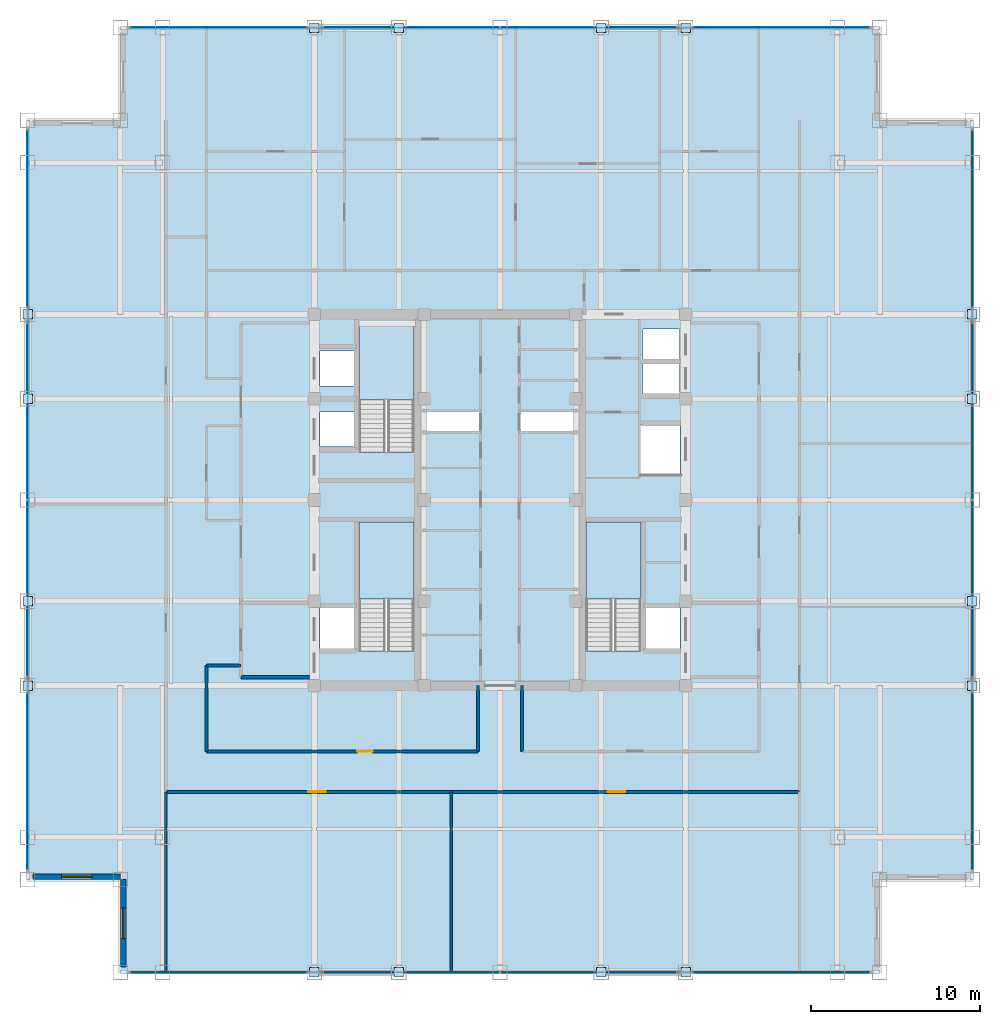
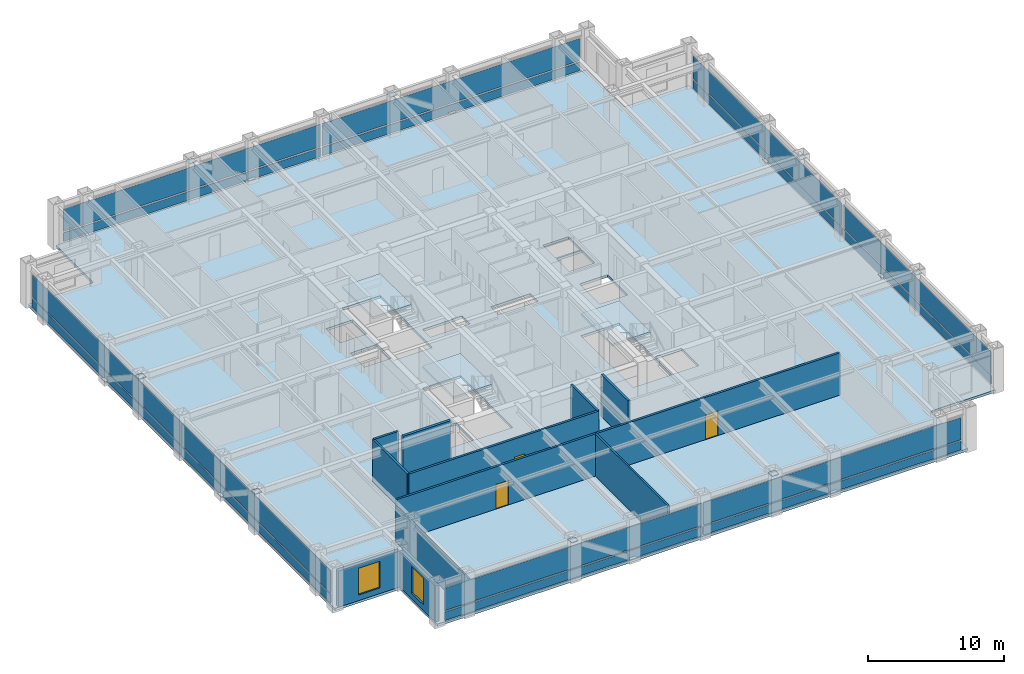
# One storey, part 17 of 22: 32 plates, 11 walls, 4 slabs, 3 doors, 2 windows, 5 openings, 7 elements without a shape of their own.
"""IFC4 building model written with IfcOpenShell, lengths in metres."""

import ifcopenshell
import ifcopenshell.guid

model = None  # the IFC model being written
_history = None  # IfcOwnerHistory: only IFC2X3 demands one
_inside = {}  # id of a spatial element -> (the spatial element, [elements in it])
_under = {}  # id of a project, library or spatial element -> (it, [spatial elements below it])
_declared = {}  # id of a project -> (the project, [libraries it declares])
_typed = {}  # id of a type object -> (the type object, [elements of that type])
_made_of = {}  # id of a material, layer set ... -> (it, [elements and type objects made of it])


def new_model(schema):
    """Start an empty IFC model of exactly this schema.

    Asked for "IFC4X3", IfcOpenShell would pick the latest addendum, in which some entities
    have other attributes; the version numbers below select the first issue.
    IFC2X3 requires an IfcOwnerHistory on every rooted entity: one is made here for all.
    """
    global model, _history
    if schema == "IFC4X3":
        model = ifcopenshell.file(schema_version=(4, 3, 0, 0))
    else:
        model = ifcopenshell.file(schema=schema)
    _inside.clear()
    _under.clear()
    _declared.clear()
    _typed.clear()
    _made_of.clear()
    _history = None
    if model.schema == "IFC2X3":
        org = make("IfcOrganization", Name="unknown")
        user = make(
            "IfcPersonAndOrganization",
            ThePerson=make("IfcPerson", FamilyName="unknown"),
            TheOrganization=org,
        )
        app = make(
            "IfcApplication",
            ApplicationDeveloper=org,
            Version="unknown",
            ApplicationFullName="unknown",
            ApplicationIdentifier="unknown",
        )
        _history = make(
            "IfcOwnerHistory",
            OwningUser=user,
            OwningApplication=app,
            ChangeAction="ADDED",
            CreationDate=0,
        )
    return model


def make(cls, **values):
    """One entity of the class cls with the attributes given. An attribute that is None is left unset."""
    return model.create_entity(
        cls, **{name: value for name, value in values.items() if value is not None}
    )


def rooted(cls, **values):
    """An entity with a GlobalId (a new one), such as an element, a storey or a relation."""
    return make(cls, GlobalId=ifcopenshell.guid.new(), OwnerHistory=_history, **values)


def si_unit(unit_type, name, prefix=None):
    """IfcSIUnit, for example si_unit("LENGTHUNIT", "METRE", prefix="MILLI")."""
    return make("IfcSIUnit", UnitType=unit_type, Prefix=prefix, Name=name)


def assignment(units):
    """IfcUnitAssignment: the units of a project."""
    return None if units is None else make("IfcUnitAssignment", Units=units)


def point(xyz):
    """IfcCartesianPoint."""
    return None if xyz is None else make("IfcCartesianPoint", Coordinates=xyz)


def direction(xyz):
    """IfcDirection."""
    return None if xyz is None else make("IfcDirection", DirectionRatios=xyz)


def frame(location, z_axis=None, x_axis=None):
    """IfcAxis2Placement3D, a coordinate frame: its origin and axes. An axis left out is left unset."""
    return make(
        "IfcAxis2Placement3D",
        Location=point(location),
        Axis=direction(z_axis),
        RefDirection=direction(x_axis),
    )


def frame_2d(location, x_axis=None):
    """IfcAxis2Placement2D, a coordinate frame in the plane: its origin and x axis."""
    return make(
        "IfcAxis2Placement2D", Location=point(location), RefDirection=direction(x_axis)
    )


def origin():
    """The frame at (0, 0, 0) with its axes left unset."""
    return frame((0.0, 0.0, 0.0))


def origin_2d():
    """The frame at (0, 0) in the plane with its x axis left unset."""
    return frame_2d((0.0, 0.0))


def place(relative_to, where):
    """IfcLocalPlacement: puts the frame where relative to a parent placement (None: the world)."""
    return make(
        "IfcLocalPlacement", PlacementRelTo=relative_to, RelativePlacement=where
    )


def context(
    kind, dimensions, precision=None, world=None, true_north=None, identifier=None
):
    """IfcGeometricRepresentationContext, for example the 3D "Model" context."""
    return make(
        "IfcGeometricRepresentationContext",
        ContextIdentifier=identifier,
        ContextType=kind,
        CoordinateSpaceDimension=dimensions,
        Precision=precision,
        WorldCoordinateSystem=world,
        TrueNorth=true_north,
    )


def subcontext(parent, identifier, kind, view, scale=None):
    """IfcGeometricRepresentationSubContext, for example "Body" below "Model"."""
    return make(
        "IfcGeometricRepresentationSubContext",
        ContextIdentifier=identifier,
        ContextType=kind,
        ParentContext=parent,
        TargetScale=scale,
        TargetView=view,
    )


def project(units=None, contexts=None):
    """IfcProject with its units and contexts."""
    return rooted(
        "IfcProject",
        Name="project",
        RepresentationContexts=contexts,
        UnitsInContext=assignment(units),
    )


def spatial(cls, under=None, at=None, **own):
    """A site, building, storey or space (cls), placed at a placement, below another one or the project."""
    s = rooted(cls, ObjectPlacement=at, **own)
    if under is not None:
        _under.setdefault(under.id(), (under, []))[1].append(s)
    return s


def polyline(points):
    """IfcPolyline through the points."""
    return make("IfcPolyline", Points=[point(p) for p in points])


def profile(cls, at=None, kind="AREA", **sizes):
    """A parametric profile (cls). Its sizes go by their IFC names, for example OverallWidth=200.0."""
    return make(cls, ProfileType=kind, Position=at, **sizes)


def rectangle(**sizes):
    """IfcRectangleProfileDef."""
    return profile("IfcRectangleProfileDef", **sizes)


def outline(outer, holes=None, kind="AREA"):
    """IfcArbitraryClosedProfileDef: a profile drawn as a closed curve; with holes, ...WithVoids."""
    if holes is None:
        return make("IfcArbitraryClosedProfileDef", ProfileType=kind, OuterCurve=outer)
    return make(
        "IfcArbitraryProfileDefWithVoids",
        ProfileType=kind,
        OuterCurve=outer,
        InnerCurves=holes,
    )


def extrude(swept, where, along, depth):
    """IfcExtrudedAreaSolid: the profile swept, set in the frame where, extruded along a direction by depth."""
    return make(
        "IfcExtrudedAreaSolid",
        SweptArea=swept,
        Position=where,
        ExtrudedDirection=direction(along),
        Depth=depth,
    )


def shape(context_of_items, identifier, shape_type, items):
    """IfcShapeRepresentation: the items that make up one representation, for example the "Body"."""
    return make(
        "IfcShapeRepresentation",
        ContextOfItems=context_of_items,
        RepresentationIdentifier=identifier,
        RepresentationType=shape_type,
        Items=items,
    )


def source(mapping_origin, context_of_items, identifier, shape_type, items):
    """IfcRepresentationMap: a shape defined once, which mapped items show again and again."""
    return make(
        "IfcRepresentationMap",
        MappingOrigin=mapping_origin,
        MappedRepresentation=shape(context_of_items, identifier, shape_type, items),
    )


def transform(
    local_origin,
    x_axis=None,
    y_axis=None,
    z_axis=None,
    scale=None,
    scale2=None,
    scale3=None,
    uniform=True,
):
    """IfcCartesianTransformationOperator3D, or its non-uniform kind. x_axis, y_axis, z_axis: its Axis1, 2, 3."""
    if uniform:
        return make(
            "IfcCartesianTransformationOperator3D",
            Axis1=direction(x_axis),
            Axis2=direction(y_axis),
            LocalOrigin=point(local_origin),
            Scale=scale,
            Axis3=direction(z_axis),
        )
    return make(
        "IfcCartesianTransformationOperator3DnonUniform",
        Axis1=direction(x_axis),
        Axis2=direction(y_axis),
        LocalOrigin=point(local_origin),
        Scale=scale,
        Axis3=direction(z_axis),
        Scale2=scale2,
        Scale3=scale3,
    )


def mapped(mapping_source, mapping_target):
    """IfcMappedItem: shows the shape of a source again, moved by a transform."""
    return make(
        "IfcMappedItem", MappingSource=mapping_source, MappingTarget=mapping_target
    )


def material(Name=None, Category=None):
    """IfcMaterial."""
    return make("IfcMaterial", Name=Name, Category=Category)


def layer(
    of_material, thickness, ventilated=None, Name=None, Category=None, Priority=None
):
    """IfcMaterialLayer: one layer of a wall or slab, of a material (None: an air gap)."""
    return make(
        "IfcMaterialLayer",
        Material=of_material,
        LayerThickness=thickness,
        IsVentilated=ventilated,
        Name=Name,
        Category=Category,
        Priority=Priority,
    )


def layer_set(layers, Name=None):
    """IfcMaterialLayerSet."""
    return make("IfcMaterialLayerSet", MaterialLayers=layers, LayerSetName=Name)


def made_of(thing, what):
    """Note that an element or type object is made of a material, layer set ...; save() writes the relation."""
    if what is not None:
        _made_of.setdefault(what.id(), (what, []))[1].append(thing)
    return thing


def type_object(cls, material=None, **own):
    """A type object (cls), such as IfcWallType, which elements share."""
    return made_of(rooted(cls, **own), material)


def element(
    cls,
    number,
    at=None,
    inside=None,
    cuts=None,
    type_object=None,
    material=None,
    context=None,
    identifier="Body",
    shape_type=None,
    held_by="IfcProductDefinitionShape",
    body=None,
    shapes=None,
    **own,
):
    """One element of the class cls, such as IfcWall. Its Tag is "e" and its number.

    at: its placement. inside: the storey or other place that contains it. cuts: it is an
    opening in that element (IfcRelVoidsElement). A single representation is given by context,
    identifier, shape_type and body (its items); several are given by shapes. held_by: the class
    of the entity that holds the representations. save() writes the other relations.
    """
    e = rooted(cls, Tag="e%d" % number, ObjectPlacement=at, **own)
    if body is not None:
        shapes = [shape(context, identifier, shape_type, body)]
    if shapes is not None:
        e.Representation = make(held_by, Representations=shapes)
    if inside is not None:
        _inside.setdefault(inside.id(), (inside, []))[1].append(e)
    if cuts is not None:
        rooted(
            "IfcRelVoidsElement", RelatingBuildingElement=cuts, RelatedOpeningElement=e
        )
    if type_object is not None:
        _typed.setdefault(type_object.id(), (type_object, []))[1].append(e)
    return made_of(e, material)


def fill(opening, filler):
    """IfcRelFillsElement: the door or window that sits in an opening."""
    return rooted(
        "IfcRelFillsElement",
        RelatingOpeningElement=opening,
        RelatedBuildingElement=filler,
    )


def aggregate(whole, parts):
    """IfcRelAggregates: a whole, such as a stair, and the parts it consists of."""
    return rooted("IfcRelAggregates", RelatingObject=whole, RelatedObjects=parts)


def save(model, path):
    """Write the relations noted so far, then the file.

    IfcRelAggregates (storeys below a building ...), IfcRelContainedInSpatialStructure (elements
    in a storey), IfcRelDefinesByType, IfcRelAssociatesMaterial and IfcRelDeclares: one each for
    every whole, place, type object, material and project.
    """
    for whole, parts in _under.values():
        aggregate(whole, parts)
    for where, things in _inside.values():
        rooted(
            "IfcRelContainedInSpatialStructure",
            RelatedElements=things,
            RelatingStructure=where,
        )
    for kind, things in _typed.values():
        rooted("IfcRelDefinesByType", RelatedObjects=things, RelatingType=kind)
    for what, things in _made_of.values():
        rooted("IfcRelAssociatesMaterial", RelatedObjects=things, RelatingMaterial=what)
    for by, libraries in _declared.values():
        rooted("IfcRelDeclares", RelatingContext=by, RelatedDefinitions=libraries)
    model.write(path)


model = new_model("IFC4")

# Units and contexts
model_context = context("Model", 3, precision=1e-05, world=origin(), true_north=direction((0.0, 1.0)))
body_context = subcontext(model_context, "Body", "Model", "MODEL_VIEW")
ifc_project = project(units=[si_unit("LENGTHUNIT", "METRE"), si_unit("AREAUNIT", "SQUARE_METRE"), si_unit("VOLUMEUNIT", "CUBIC_METRE"), si_unit("PLANEANGLEUNIT", "RADIAN"), si_unit("MASSUNIT", "GRAM", prefix="KILO")], contexts=[model_context])

# Site, building, storey
site_placement = place(None, origin())
site = spatial("IfcSite", under=ifc_project, at=site_placement, CompositionType="ELEMENT")
building_placement = place(site_placement, origin())
building = spatial("IfcBuilding", under=site, at=building_placement, Name="Khorayat Bourse Tower", CompositionType="ELEMENT")
storey_placement = place(building_placement, frame((0.0, 0.0, 305.5)))
storey = spatial("IfcBuildingStorey", under=building, at=storey_placement, Name="L72", CompositionType="ELEMENT", Elevation=305.5)

# Stair, slab
ifc_material_1 = material(Name="Concrete C40/50", Category="concrete")
stair_type = type_object("IfcStairType", Name="STR-CORE-1550", PredefinedType="HALF_TURN_STAIR", material=ifc_material_1)
stair_1_placement = place(storey_placement, origin())
stair_1 = element("IfcStair", 1, at=stair_1_placement, inside=storey, type_object=stair_type, Name="L72 Exit Stair ST-1", PredefinedType="HALF_TURN_STAIR")
ifc_layer_1 = layer(ifc_material_1, 0.199951171875)
ifc_layer_set_1 = layer_set([ifc_layer_1], Name="Concrete C40/50")
slab_type_1 = type_object("IfcSlabType", Name="SLB-LANDING-200", PredefinedType="LANDING", material=ifc_layer_set_1)
slab_1_placement = place(storey_placement, frame((0.0, 0.0, 1.800048828125)))
slab_1 = element("IfcSlab", 2, at=slab_1_placement, type_object=slab_type_1, Name="ST-1 landing 1", PredefinedType="LANDING", context=body_context, shape_type="SweptSolid", body=[
    extrude(outline(polyline([(-5.10009765625, -5.8701171875), (-5.10009765625, -1.300048828125), (-8.35009765625, -1.300048828125), (-8.35009765625, -5.8701171875), (-5.10009765625, -5.8701171875)])), origin(), (0.0, 0.0, 1.0), 0.199951171875),
])
aggregate(stair_1, [slab_1])

stair_2_placement = place(storey_placement, origin())
stair_2 = element("IfcStair", 3, at=stair_2_placement, inside=storey, type_object=stair_type, Name="L72 Exit Stair ST-2", PredefinedType="HALF_TURN_STAIR")
slab_2_placement = place(storey_placement, frame((0.0, 0.0, 1.800048828125)))
slab_2 = element("IfcSlab", 4, at=slab_2_placement, type_object=slab_type_1, Name="ST-2 landing 1", PredefinedType="LANDING", context=body_context, shape_type="SweptSolid", body=[
    extrude(outline(polyline([(-5.10009765625, 5.929931640625), (-5.10009765625, 10.5), (-8.35009765625, 10.5), (-8.35009765625, 5.929931640625), (-5.10009765625, 5.929931640625)])), origin(), (0.0, 0.0, 1.0), 0.199951171875),
])
aggregate(stair_2, [slab_2])

stair_3_placement = place(storey_placement, origin())
stair_3 = element("IfcStair", 5, at=stair_3_placement, inside=storey, type_object=stair_type, Name="L72 Exit Stair ST-3", PredefinedType="HALF_TURN_STAIR")
slab_3_placement = place(storey_placement, frame((0.0, 0.0, 1.800048828125)))
slab_3 = element("IfcSlab", 6, at=slab_3_placement, type_object=slab_type_1, Name="ST-3 landing 1", PredefinedType="LANDING", context=body_context, shape_type="SweptSolid", body=[
    extrude(outline(polyline([(8.35009765625, -5.8701171875), (8.35009765625, -1.300048828125), (5.10009765625, -1.300048828125), (5.10009765625, -5.8701171875), (8.35009765625, -5.8701171875)])), origin(), (0.0, 0.0, 1.0), 0.199951171875),
])
aggregate(stair_3, [slab_3])

# Slab
ifc_layer_2 = layer(ifc_material_1, 0.219970703125)
ifc_layer_set_2 = layer_set([ifc_layer_2], Name="Concrete C40/50")
slab_type_2 = type_object("IfcSlabType", Name="SLB-OFFICE-220", PredefinedType="FLOOR", material=ifc_layer_set_2)
slab_4_placement = place(storey_placement, frame((0.0, 0.0, -0.219970703125)))
element("IfcSlab", 7, at=slab_4_placement, inside=storey, type_object=slab_type_2, Name="L72 Main Floor Slab", PredefinedType="FLOOR", context=body_context, shape_type="SweptSolid", body=[
    extrude(outline(polyline([(-22.5, -28.0), (22.5, -28.0), (22.5, -22.5), (28.0, -22.5), (28.0, 22.5), (22.5, 22.5), (22.5, 28.0), (-22.5, 28.0), (-22.5, 22.5), (-28.0, 22.5), (-28.0, -22.5), (-22.5, -22.5), (-22.5, -28.0)]), holes=[polyline([(-8.35009765625, -8.945068359375), (-5.10009765625, -8.945068359375), (-5.10009765625, -1.300048828125), (-8.35009765625, -1.300048828125), (-8.35009765625, -8.945068359375)]), polyline([(-8.35009765625, 2.85498046875), (-5.10009765625, 2.85498046875), (-5.10009765625, 10.5), (-8.35009765625, 10.5), (-8.35009765625, 2.85498046875)]), polyline([(5.10009765625, -8.945068359375), (8.35009765625, -8.945068359375), (8.35009765625, -1.300048828125), (5.10009765625, -1.300048828125), (5.10009765625, -8.945068359375)]), polyline([(-10.679931640625, 3.169921875), (-8.419921875, 3.169921875), (-8.419921875, 5.22998046875), (-10.679931640625, 5.22998046875), (-10.679931640625, 3.169921875)]), polyline([(-10.679931640625, 6.77001953125), (-8.419921875, 6.77001953125), (-8.419921875, 8.830078125), (-10.679931640625, 8.830078125), (-10.679931640625, 6.77001953125)]), polyline([(8.469970703125, 6.27001953125), (10.6298828125, 6.27001953125), (10.6298828125, 8.1298828125), (8.469970703125, 8.1298828125), (8.469970703125, 6.27001953125)]), polyline([(8.469970703125, 8.27001953125), (10.6298828125, 8.27001953125), (10.6298828125, 10.1298828125), (8.469970703125, 10.1298828125), (8.469970703125, 8.27001953125)]), polyline([(-10.679931640625, -8.929931640625), (-8.419921875, -8.929931640625), (-8.419921875, -6.3701171875), (-10.679931640625, -6.3701171875), (-10.679931640625, -8.929931640625)]), polyline([(8.419921875, -8.929931640625), (10.679931640625, -8.929931640625), (10.679931640625, -6.3701171875), (8.419921875, -6.3701171875), (8.419921875, -8.929931640625)]), polyline([(8.320068359375, 1.52001953125), (10.679931640625, 1.52001953125), (10.679931640625, 4.47998046875), (8.320068359375, 4.47998046875), (8.320068359375, 1.52001953125)]), polyline([(-4.56005859375, 4.080078125), (-1.18994140625, 4.080078125), (-1.18994140625, 5.219970703125), (-4.56005859375, 5.219970703125), (-4.56005859375, 4.080078125)]), polyline([(1.18994140625, 4.080078125), (4.56005859375, 4.080078125), (4.56005859375, 5.219970703125), (1.18994140625, 5.219970703125), (1.18994140625, 4.080078125)])]), origin(), (0.0, 0.0, 1.0), 0.219970703125),
])

# Plates
ifc_material_2 = material(Name="Steel EN 10025-2 S355J2", Category="steel")
ifc_layer_3 = layer(ifc_material_2, 0.02490234375)
ifc_layer_set_3 = layer_set([ifc_layer_3], Name="Steel EN 10025-2 S355J2")
plate_type_1 = type_object("IfcPlateType", Name="PLT-ENDCAP-25", PredefinedType="SHEET", material=ifc_layer_set_3)
shared_shape_1 = source(origin(), body_context, "Body", "SweptSolid", [
    extrude(rectangle(XDim=0.56005859375, YDim=0.56005859375, at=origin_2d()), origin(), (0.0, 0.0, 1.0), 0.02490234375),
])
for number, where, z_axis, x_axis, name in (
    (8, (-11.0, -28.0, 3.517578125), (0.0, 0.0, 1.0), (1.0, 0.0, 0.0), "L72 Perimeter Brace End Plate 001"),
    (9, (-6.0, -28.0, 0.237548828125), (0.0, 0.0, 1.0), (1.0, 0.0, 0.0), "L72 Perimeter Brace End Plate 002"),
    (10, (6.0, -28.0, 3.517578125), (0.0, 0.0, 1.0), (1.0, 0.0, 0.0), "L72 Perimeter Brace End Plate 003"),
    (11, (11.0, -28.0, 0.237548828125), (0.0, 0.0, 1.0), (1.0, 0.0, 0.0), "L72 Perimeter Brace End Plate 004"),
    (12, (-11.0, 28.0, 3.517578125), (0.0, 0.0, 1.0), (1.0, 0.0, 0.0), "L72 Perimeter Brace End Plate 005"),
    (13, (-6.0, 28.0, 0.237548828125), (0.0, 0.0, 1.0), (1.0, 0.0, 0.0), "L72 Perimeter Brace End Plate 006"),
    (14, (6.0, 28.0, 3.517578125), (0.0, 0.0, 1.0), (1.0, 0.0, 0.0), "L72 Perimeter Brace End Plate 007"),
    (15, (11.0, 28.0, 0.237548828125), (0.0, 0.0, 1.0), (1.0, 0.0, 0.0), "L72 Perimeter Brace End Plate 008"),
    (16, (-28.0, -11.0, 3.517578125), (0.0, 0.0, 1.0), (1.0, 0.0, 0.0), "L72 Perimeter Brace End Plate 009"),
    (17, (-28.0, -6.0, 0.237548828125), (0.0, 0.0, 1.0), (1.0, 0.0, 0.0), "L72 Perimeter Brace End Plate 010"),
    (18, (-28.0, 6.0, 3.517578125), (0.0, 0.0, 1.0), (1.0, 0.0, 0.0), "L72 Perimeter Brace End Plate 011"),
    (19, (-28.0, 11.0, 0.237548828125), (0.0, 0.0, 1.0), (1.0, 0.0, 0.0), "L72 Perimeter Brace End Plate 012"),
    (20, (28.0, -11.0, 3.517578125), (0.0, 0.0, 1.0), (1.0, 0.0, 0.0), "L72 Perimeter Brace End Plate 013"),
    (21, (28.0, -6.0, 0.237548828125), (0.0, 0.0, 1.0), (1.0, 0.0, 0.0), "L72 Perimeter Brace End Plate 014"),
    (22, (28.0, 6.0, 3.517578125), (0.0, 0.0, 1.0), (1.0, 0.0, 0.0), "L72 Perimeter Brace End Plate 015"),
    (23, (28.0, 11.0, 0.237548828125), (0.0, 0.0, 1.0), (1.0, 0.0, 0.0), "L72 Perimeter Brace End Plate 016"),
):
    element("IfcPlate", number, at=place(storey_placement, frame(where, z_axis=z_axis, x_axis=x_axis)), inside=storey, type_object=plate_type_1, Name=name, PredefinedType="SHEET", context=body_context, shape_type="MappedRepresentation", body=[
        mapped(shared_shape_1, transform((0.0, 0.0, 0.0), scale=1.0)),
    ])

# Curtain wall, plates
ifc_material_3 = material(Name="Aluminium EN AW-6063 T6", Category="aluminium")
curtain_wall_type = type_object("IfcCurtainWallType", Name="CW-SYS-04", PredefinedType="NOTDEFINED", material=ifc_material_3)
curtain_wall_1_placement = place(storey_placement, origin())
curtain_wall_1 = element("IfcCurtainWall", 24, at=curtain_wall_1_placement, inside=storey, type_object=curtain_wall_type, Name="L72 Curtain Wall CW-L72-S1", PredefinedType="NOTDEFINED")
ifc_material_4 = material(Name="Honed desert limestone insulated spandrel", Category="masonry")
ifc_layer_4 = layer(ifc_material_4, 0.06494140625)
ifc_layer_set_4 = layer_set([ifc_layer_4], Name="Honed desert limestone insulated spandrel")
plate_type_2 = type_object("IfcPlateType", Name="CWP-SPAND-03", PredefinedType="CURTAIN_PANEL", material=ifc_layer_set_4)
shared_shape_2 = source(origin(), body_context, "Body", "SweptSolid", [
    extrude(rectangle(XDim=21.820068359375, YDim=0.06494140625, at=origin_2d()), origin(), (0.0, 0.0, 1.0), 0.77001953125),
])
plate_1_placement = place(storey_placement, frame((-10.969970703125, -28.0, 0.119873046875), z_axis=(0.0, 0.0, 1.0), x_axis=(1.0, 0.0, 0.0)))
plate_1 = element("IfcPlate", 25, at=plate_1_placement, type_object=plate_type_2, Name="CW-L72-S1 Spandrel Panel 1-1", PredefinedType="CURTAIN_PANEL", context=body_context, shape_type="MappedRepresentation", body=[
    mapped(shared_shape_2, transform((0.0, 0.0, 0.0), scale=1.0)),
])
plate_2_placement = place(storey_placement, frame((10.969970703125, -28.0, 0.119873046875), z_axis=(0.0, 0.0, 1.0), x_axis=(1.0, 0.0, 0.0)))
plate_2 = element("IfcPlate", 26, at=plate_2_placement, type_object=plate_type_2, Name="CW-L72-S1 Spandrel Panel 2-1", PredefinedType="CURTAIN_PANEL", context=body_context, shape_type="MappedRepresentation", body=[
    mapped(shared_shape_2, transform((0.0, 0.0, 0.0), scale=1.0)),
])

curtain_wall_2_placement = place(storey_placement, origin())
curtain_wall_2 = element("IfcCurtainWall", 27, at=curtain_wall_2_placement, inside=storey, type_object=curtain_wall_type, Name="L72 Curtain Wall CW-L72-N1", PredefinedType="NOTDEFINED")
plate_3_placement = place(storey_placement, frame((-10.969970703125, 28.0, 0.119873046875), z_axis=(0.0, 0.0, 1.0), x_axis=(1.0, 0.0, 0.0)))
plate_3 = element("IfcPlate", 28, at=plate_3_placement, type_object=plate_type_2, Name="CW-L72-N1 Spandrel Panel 1-1", PredefinedType="CURTAIN_PANEL", context=body_context, shape_type="MappedRepresentation", body=[
    mapped(shared_shape_2, transform((0.0, 0.0, 0.0), scale=1.0)),
])
plate_4_placement = place(storey_placement, frame((10.969970703125, 28.0, 0.119873046875), z_axis=(0.0, 0.0, 1.0), x_axis=(1.0, 0.0, 0.0)))
plate_4 = element("IfcPlate", 29, at=plate_4_placement, type_object=plate_type_2, Name="CW-L72-N1 Spandrel Panel 2-1", PredefinedType="CURTAIN_PANEL", context=body_context, shape_type="MappedRepresentation", body=[
    mapped(shared_shape_2, transform((0.0, 0.0, 0.0), scale=1.0)),
])

curtain_wall_3_placement = place(storey_placement, origin())
curtain_wall_3 = element("IfcCurtainWall", 30, at=curtain_wall_3_placement, inside=storey, type_object=curtain_wall_type, Name="L72 Curtain Wall CW-L72-W1", PredefinedType="NOTDEFINED")
plate_5_placement = place(storey_placement, frame((-28.0, -10.969970703125, 0.119873046875), z_axis=(0.0, 0.0, 1.0), x_axis=(0.0, 1.0, 0.0)))
plate_5 = element("IfcPlate", 31, at=plate_5_placement, type_object=plate_type_2, Name="CW-L72-W1 Spandrel Panel 1-1", PredefinedType="CURTAIN_PANEL", context=body_context, shape_type="MappedRepresentation", body=[
    mapped(shared_shape_2, transform((0.0, 0.0, 0.0), scale=1.0)),
])
plate_6_placement = place(storey_placement, frame((-28.0, 10.969970703125, 0.119873046875), z_axis=(0.0, 0.0, 1.0), x_axis=(0.0, 1.0, 0.0)))
plate_6 = element("IfcPlate", 32, at=plate_6_placement, type_object=plate_type_2, Name="CW-L72-W1 Spandrel Panel 2-1", PredefinedType="CURTAIN_PANEL", context=body_context, shape_type="MappedRepresentation", body=[
    mapped(shared_shape_2, transform((0.0, 0.0, 0.0), scale=1.0)),
])

curtain_wall_4_placement = place(storey_placement, origin())
curtain_wall_4 = element("IfcCurtainWall", 33, at=curtain_wall_4_placement, inside=storey, type_object=curtain_wall_type, Name="L72 Curtain Wall CW-L72-E1", PredefinedType="NOTDEFINED")
plate_7_placement = place(storey_placement, frame((28.0, -10.969970703125, 0.119873046875), z_axis=(0.0, 0.0, 1.0), x_axis=(0.0, 1.0, 0.0)))
plate_7 = element("IfcPlate", 34, at=plate_7_placement, type_object=plate_type_2, Name="CW-L72-E1 Spandrel Panel 1-1", PredefinedType="CURTAIN_PANEL", context=body_context, shape_type="MappedRepresentation", body=[
    mapped(shared_shape_2, transform((0.0, 0.0, 0.0), scale=1.0)),
])
plate_8_placement = place(storey_placement, frame((28.0, 10.969970703125, 0.119873046875), z_axis=(0.0, 0.0, 1.0), x_axis=(0.0, 1.0, 0.0)))
plate_8 = element("IfcPlate", 35, at=plate_8_placement, type_object=plate_type_2, Name="CW-L72-E1 Spandrel Panel 2-1", PredefinedType="CURTAIN_PANEL", context=body_context, shape_type="MappedRepresentation", body=[
    mapped(shared_shape_2, transform((0.0, 0.0, 0.0), scale=1.0)),
])

# Plate
ifc_material_5 = material(Name="Low-E solar-control laminated double glazing", Category="glass")
ifc_layer_5 = layer(ifc_material_5, 0.0419921875)
ifc_layer_set_5 = layer_set([ifc_layer_5], Name="Low-E solar-control laminated double glazing")
plate_type_3 = type_object("IfcPlateType", Name="CWP-FACET-02", PredefinedType="CURTAIN_PANEL", material=ifc_layer_set_5)
shared_shape_3 = source(origin(), body_context, "Body", "SweptSolid", [
    extrude(rectangle(XDim=21.820068359375, YDim=0.0419921875, at=origin_2d()), origin(), (0.0, 0.0, 1.0), 2.0),
])
plate_9_placement = place(storey_placement, frame((-10.969970703125, -28.0, 1.010009765625), z_axis=(0.0, 0.0, 1.0), x_axis=(1.0, 0.0, 0.0)))
plate_9 = element("IfcPlate", 36, at=plate_9_placement, type_object=plate_type_3, Name="CW-L72-S1 Vision Panel 1-2", PredefinedType="CURTAIN_PANEL", context=body_context, shape_type="MappedRepresentation", body=[
    mapped(shared_shape_3, transform((0.0, 0.0, 0.0), scale=1.0)),
])

plate_10_placement = place(storey_placement, frame((10.969970703125, -28.0, 1.010009765625), z_axis=(0.0, 0.0, 1.0), x_axis=(1.0, 0.0, 0.0)))
plate_10 = element("IfcPlate", 37, at=plate_10_placement, type_object=plate_type_3, Name="CW-L72-S1 Vision Panel 2-2", PredefinedType="CURTAIN_PANEL", context=body_context, shape_type="MappedRepresentation", body=[
    mapped(shared_shape_3, transform((0.0, 0.0, 0.0), scale=1.0)),
])

aggregate(curtain_wall_1, [plate_1, plate_9, plate_2, plate_10])

plate_11_placement = place(storey_placement, frame((-10.969970703125, 28.0, 1.010009765625), z_axis=(0.0, 0.0, 1.0), x_axis=(1.0, 0.0, 0.0)))
plate_11 = element("IfcPlate", 38, at=plate_11_placement, type_object=plate_type_3, Name="CW-L72-N1 Vision Panel 1-2", PredefinedType="CURTAIN_PANEL", context=body_context, shape_type="MappedRepresentation", body=[
    mapped(shared_shape_3, transform((0.0, 0.0, 0.0), scale=1.0)),
])

plate_12_placement = place(storey_placement, frame((10.969970703125, 28.0, 1.010009765625), z_axis=(0.0, 0.0, 1.0), x_axis=(1.0, 0.0, 0.0)))
plate_12 = element("IfcPlate", 39, at=plate_12_placement, type_object=plate_type_3, Name="CW-L72-N1 Vision Panel 2-2", PredefinedType="CURTAIN_PANEL", context=body_context, shape_type="MappedRepresentation", body=[
    mapped(shared_shape_3, transform((0.0, 0.0, 0.0), scale=1.0)),
])

aggregate(curtain_wall_2, [plate_3, plate_11, plate_4, plate_12])

plate_13_placement = place(storey_placement, frame((-28.0, -10.969970703125, 1.010009765625), z_axis=(0.0, 0.0, 1.0), x_axis=(0.0, 1.0, 0.0)))
plate_13 = element("IfcPlate", 40, at=plate_13_placement, type_object=plate_type_3, Name="CW-L72-W1 Vision Panel 1-2", PredefinedType="CURTAIN_PANEL", context=body_context, shape_type="MappedRepresentation", body=[
    mapped(shared_shape_3, transform((0.0, 0.0, 0.0), scale=1.0)),
])

plate_14_placement = place(storey_placement, frame((-28.0, 10.969970703125, 1.010009765625), z_axis=(0.0, 0.0, 1.0), x_axis=(0.0, 1.0, 0.0)))
plate_14 = element("IfcPlate", 41, at=plate_14_placement, type_object=plate_type_3, Name="CW-L72-W1 Vision Panel 2-2", PredefinedType="CURTAIN_PANEL", context=body_context, shape_type="MappedRepresentation", body=[
    mapped(shared_shape_3, transform((0.0, 0.0, 0.0), scale=1.0)),
])

aggregate(curtain_wall_3, [plate_5, plate_13, plate_6, plate_14])

plate_15_placement = place(storey_placement, frame((28.0, -10.969970703125, 1.010009765625), z_axis=(0.0, 0.0, 1.0), x_axis=(0.0, 1.0, 0.0)))
plate_15 = element("IfcPlate", 42, at=plate_15_placement, type_object=plate_type_3, Name="CW-L72-E1 Vision Panel 1-2", PredefinedType="CURTAIN_PANEL", context=body_context, shape_type="MappedRepresentation", body=[
    mapped(shared_shape_3, transform((0.0, 0.0, 0.0), scale=1.0)),
])

plate_16_placement = place(storey_placement, frame((28.0, 10.969970703125, 1.010009765625), z_axis=(0.0, 0.0, 1.0), x_axis=(0.0, 1.0, 0.0)))
plate_16 = element("IfcPlate", 43, at=plate_16_placement, type_object=plate_type_3, Name="CW-L72-E1 Vision Panel 2-2", PredefinedType="CURTAIN_PANEL", context=body_context, shape_type="MappedRepresentation", body=[
    mapped(shared_shape_3, transform((0.0, 0.0, 0.0), scale=1.0)),
])

aggregate(curtain_wall_4, [plate_7, plate_15, plate_8, plate_16])

# Wall, opening, window
ifc_material_6 = material(Name="Precast concrete C45/55", Category="concrete")
ifc_layer_6 = layer(ifc_material_6, 0.320068359375)
ifc_layer_set_6 = layer_set([ifc_layer_6], Name="Precast concrete C45/55")
wall_type_1 = type_object("IfcWallType", Name="WAL-EXT-STONE-320", PredefinedType="STANDARD", material=ifc_layer_set_6)
shared_shape_4 = source(origin(), body_context, "Body", "SweptSolid", [
    extrude(rectangle(XDim=5.179931640625, YDim=0.320068359375, at=frame_2d((2.58984375, 0.0))), origin(), (0.0, 0.0, 1.0), 3.23095703125),
])
wall_1_placement = place(storey_placement, frame((-22.5, -22.340087890625, 0.0), z_axis=(0.0, 0.0, 1.0), x_axis=(-1.0, 0.0, 0.0)))
wall_1 = element("IfcWall", 44, at=wall_1_placement, inside=storey, type_object=wall_type_1, Name="L72 Re-Entrant Notch Limestone Wall SW-H", PredefinedType="STANDARD", context=body_context, shape_type="MappedRepresentation", body=[
    mapped(shared_shape_4, transform((0.0, 0.0, 0.0), scale=1.0)),
])
shared_shape_5 = source(origin(), body_context, "Body", "SweptSolid", [
    extrude(rectangle(XDim=1.800048828125, YDim=2.39990234375, at=frame_2d((0.89990234375, 1.199951171875))), frame((0.0, 0.169921875, 0.0), z_axis=(0.0, -1.0, 0.0), x_axis=(1.0, 0.0, 0.0)), (0.0, 0.0, 1.0), 0.340087890625),
])
opening_1_placement = place(wall_1_placement, frame((1.68994140625, 0.0, 0.5)))
opening_1 = element("IfcOpeningElement", 45, at=opening_1_placement, cuts=wall_1, Name="Opening WN-04", PredefinedType="OPENING", context=body_context, shape_type="MappedRepresentation", body=[
    mapped(shared_shape_5, transform((0.0, 0.0, 0.0), scale=1.0)),
])
ifc_material_7 = material(Name="Low-E acoustic laminated double glazing", Category="glass")
window_type = type_object("IfcWindowType", Name="WIN-NOTCH-1800x2400", PartitioningType="SINGLE_PANEL", PredefinedType="WINDOW", material=ifc_material_7)
shared_shape_6 = source(origin(), body_context, "Body", "SweptSolid", [
    extrude(rectangle(XDim=1.800048828125, YDim=2.39990234375, at=frame_2d((0.89990234375, 1.199951171875))), frame((0.0, 0.030029296875, 0.0), z_axis=(0.0, -1.0, 0.0), x_axis=(1.0, 0.0, 0.0)), (0.0, 0.0, 1.0), 0.06005859375),
])
window_1_placement = place(opening_1_placement, origin())
window_1 = element("IfcWindow", 46, at=window_1_placement, inside=storey, type_object=window_type, Name="L72 Facade Window 1", OverallHeight=2.39990234375, OverallWidth=1.800048828125, PartitioningType="SINGLE_PANEL", PredefinedType="WINDOW", context=body_context, shape_type="MappedRepresentation", body=[
    mapped(shared_shape_6, transform((0.0, 0.0, 0.0), scale=1.0)),
])
fill(opening_1, window_1)

wall_2_placement = place(storey_placement, frame((-22.340087890625, -27.679931640625, 0.0), z_axis=(0.0, 0.0, 1.0), x_axis=(0.0, 1.0, 0.0)))
wall_2 = element("IfcWall", 47, at=wall_2_placement, inside=storey, type_object=wall_type_1, Name="L72 Re-Entrant Notch Limestone Wall SW-V", PredefinedType="STANDARD", context=body_context, shape_type="MappedRepresentation", body=[
    mapped(shared_shape_4, transform((0.0, 0.0, 0.0), scale=1.0)),
])
opening_2_placement = place(wall_2_placement, frame((1.68994140625, 0.0, 0.5)))
opening_2 = element("IfcOpeningElement", 48, at=opening_2_placement, cuts=wall_2, Name="Opening WN-04", PredefinedType="OPENING", context=body_context, shape_type="MappedRepresentation", body=[
    mapped(shared_shape_5, transform((0.0, 0.0, 0.0), scale=1.0)),
])
window_2_placement = place(opening_2_placement, origin())
window_2 = element("IfcWindow", 49, at=window_2_placement, inside=storey, type_object=window_type, Name="L72 Facade Window 1", OverallHeight=2.39990234375, OverallWidth=1.800048828125, PartitioningType="SINGLE_PANEL", PredefinedType="WINDOW", context=body_context, shape_type="MappedRepresentation", body=[
    mapped(shared_shape_6, transform((0.0, 0.0, 0.0), scale=1.0)),
])
fill(opening_2, window_2)

# Walls
ifc_material_8 = material(Name="Aerated concrete blockwork", Category="masonry")
ifc_layer_7 = layer(ifc_material_8, 0.219970703125)
ifc_layer_set_7 = layer_set([ifc_layer_7], Name="Aerated concrete blockwork")
wall_type_2 = type_object("IfcWallType", Name="WAL-PART-FF-220", PredefinedType="PARTITIONING", material=ifc_layer_set_7)
shared_shape_7 = source(origin(), body_context, "Body", "SweptSolid", [
    extrude(rectangle(XDim=4.050048828125, YDim=0.219970703125, at=frame_2d((2.02490234375, 0.0))), origin(), (0.0, 0.0, 1.0), 3.780029296875),
])
wall_3_placement = place(storey_placement, frame((-15.35009765625, -10.5, 0.0), z_axis=(0.0, 0.0, 1.0), x_axis=(1.0, 0.0, 0.0)))
element("IfcWall", 50, at=wall_3_placement, inside=storey, type_object=wall_type_2, Name="L72 Partition WAL-L72-FFLW-S", PredefinedType="PARTITIONING", context=body_context, shape_type="MappedRepresentation", body=[
    mapped(shared_shape_7, transform((0.0, 0.0, 0.0), scale=1.0)),
])
ifc_material_9 = material(Name="Gypsum plasterboard acoustic stud wall")
ifc_layer_8 = layer(ifc_material_9, 0.179931640625)
ifc_layer_set_8 = layer_set([ifc_layer_8], Name="Gypsum plasterboard acoustic stud wall")
wall_type_3 = type_object("IfcWallType", Name="WAL-PART-CORR-180", PredefinedType="PARTITIONING", material=ifc_layer_set_8)
shared_shape_8 = source(origin(), body_context, "Body", "SweptSolid", [
    extrude(rectangle(XDim=2.0498046875, YDim=0.179931640625, at=frame_2d((1.02490234375, 0.0))), origin(), (0.0, 0.0, 1.0), 3.780029296875),
])
wall_4_placement = place(storey_placement, frame((-17.39990234375, -9.800048828125, 0.0), z_axis=(0.0, 0.0, 1.0), x_axis=(1.0, 0.0, 0.0)))
element("IfcWall", 51, at=wall_4_placement, inside=storey, type_object=wall_type_3, Name="L72 Partition WAL-L72-THRW-S", PredefinedType="PARTITIONING", context=body_context, shape_type="MappedRepresentation", body=[
    mapped(shared_shape_8, transform((0.0, 0.0, 0.0), scale=1.0)),
])

# Wall, opening, door
shared_shape_9 = source(origin(), body_context, "Body", "SweptSolid", [
    extrude(rectangle(XDim=16.099853515625, YDim=0.179931640625, at=frame_2d((8.0498046875, 0.0))), origin(), (0.0, 0.0, 1.0), 3.780029296875),
])
wall_5_placement = place(storey_placement, frame((-17.39990234375, -14.89990234375, 0.0), z_axis=(0.0, 0.0, 1.0), x_axis=(1.0, 0.0, 0.0)))
wall_5 = element("IfcWall", 52, at=wall_5_placement, inside=storey, type_object=wall_type_3, Name="L72 Partition WAL-L72-PKSW-S", PredefinedType="PARTITIONING", context=body_context, shape_type="MappedRepresentation", body=[
    mapped(shared_shape_9, transform((0.0, 0.0, 0.0), scale=1.0)),
])
shared_shape_10 = source(origin(), body_context, "Body", "SweptSolid", [
    extrude(rectangle(XDim=0.89990234375, YDim=2.14990234375, at=frame_2d((0.449951171875, 1.074951171875))), frame((0.0, 0.099853515625, 0.0), z_axis=(0.0, -1.0, 0.0), x_axis=(1.0, 0.0, 0.0)), (0.0, 0.0, 1.0), 0.199951171875),
])
opening_3_placement = place(wall_5_placement, frame((8.949951171875, 0.0, 0.0)))
opening_3 = element("IfcOpeningElement", 53, at=opening_3_placement, cuts=wall_5, Name="Opening DI-06", PredefinedType="OPENING", context=body_context, shape_type="MappedRepresentation", body=[
    mapped(shared_shape_10, transform((0.0, 0.0, 0.0), scale=1.0)),
])
ifc_material_10 = material(Name="Moisture-resistant laminate washroom door")
door_type_1 = type_object("IfcDoorType", Name="DR-INT-WC-900", OperationType="NOTDEFINED", PredefinedType="DOOR", material=ifc_material_10)
shared_shape_11 = source(origin(), body_context, "Body", "SweptSolid", [
    extrude(rectangle(XDim=0.89990234375, YDim=2.14990234375, at=frame_2d((0.449951171875, 1.074951171875))), frame((0.0, 0.02490234375, 0.0), z_axis=(0.0, -1.0, 0.0), x_axis=(1.0, 0.0, 0.0)), (0.0, 0.0, 1.0), 0.050048828125),
])
door_1_placement = place(opening_3_placement, origin())
door_1 = element("IfcDoor", 54, at=door_1_placement, inside=storey, type_object=door_type_1, Name="L72 SW Inboard Pantry Door", OperationType="SINGLE_SWING_LEFT", OverallHeight=2.14990234375, OverallWidth=0.89990234375, PredefinedType="DOOR", context=body_context, shape_type="MappedRepresentation", body=[
    mapped(shared_shape_11, transform((0.0, 0.0, 0.0), scale=1.0)),
])
fill(opening_3, door_1)

# Wall, openings, doors
shared_shape_12 = source(origin(), body_context, "Body", "SweptSolid", [
    extrude(rectangle(XDim=37.550048828125, YDim=0.179931640625, at=frame_2d((18.77490234375, 0.0))), origin(), (0.0, 0.0, 1.0), 3.780029296875),
])
wall_6_placement = place(storey_placement, frame((-19.800048828125, -17.300048828125, 0.0), z_axis=(0.0, 0.0, 1.0), x_axis=(1.0, 0.0, 0.0)))
wall_6 = element("IfcWall", 55, at=wall_6_placement, inside=storey, type_object=wall_type_3, Name="L72 Partition WAL-L72-SCORR", PredefinedType="PARTITIONING", context=body_context, shape_type="MappedRepresentation", body=[
    mapped(shared_shape_12, transform((0.0, 0.0, 0.0), scale=1.0)),
])
shared_shape_13 = source(origin(), body_context, "Body", "SweptSolid", [
    extrude(rectangle(XDim=1.050048828125, YDim=2.199951171875, at=frame_2d((0.52490234375, 1.10009765625))), frame((0.0, 0.099853515625, 0.0), z_axis=(0.0, -1.0, 0.0), x_axis=(1.0, 0.0, 0.0)), (0.0, 0.0, 1.0), 0.199951171875),
])
opening_4_placement = place(wall_6_placement, frame((8.423583984375, 0.0, 0.0)))
opening_4 = element("IfcOpeningElement", 56, at=opening_4_placement, cuts=wall_6, Name="Opening DI-04", PredefinedType="OPENING", context=body_context, shape_type="MappedRepresentation", body=[
    mapped(shared_shape_13, transform((0.0, 0.0, 0.0), scale=1.0)),
])
opening_5_placement = place(wall_6_placement, frame((26.173583984375, 0.0, 0.0)))
opening_5 = element("IfcOpeningElement", 57, at=opening_5_placement, cuts=wall_6, Name="Opening DI-04", PredefinedType="OPENING", context=body_context, shape_type="MappedRepresentation", body=[
    mapped(shared_shape_13, transform((0.0, 0.0, 0.0), scale=1.0)),
])
ifc_material_11 = material(Name="Fire-rated oak veneer suite entrance door")
door_type_2 = type_object("IfcDoorType", Name="DR-INT-SUITE-1050", OperationType="NOTDEFINED", PredefinedType="DOOR", material=ifc_material_11)
shared_shape_14 = source(origin(), body_context, "Body", "SweptSolid", [
    extrude(rectangle(XDim=1.050048828125, YDim=2.199951171875, at=frame_2d((0.52490234375, 1.10009765625))), frame((0.0, 0.02490234375, 0.0), z_axis=(0.0, -1.0, 0.0), x_axis=(1.0, 0.0, 0.0)), (0.0, 0.0, 1.0), 0.050048828125),
])
door_2_placement = place(opening_4_placement, origin())
door_2 = element("IfcDoor", 58, at=door_2_placement, inside=storey, type_object=door_type_2, Name="L72 Issuer Listing Showroom S1 Door", OperationType="SINGLE_SWING_RIGHT", OverallHeight=2.199951171875, OverallWidth=1.050048828125, PredefinedType="DOOR", context=body_context, shape_type="MappedRepresentation", body=[
    mapped(shared_shape_14, transform((0.0, 0.0, 0.0), scale=1.0)),
])
fill(opening_4, door_2)
door_3_placement = place(opening_5_placement, origin())
door_3 = element("IfcDoor", 59, at=door_3_placement, inside=storey, type_object=door_type_2, Name="L72 Brokerage Member Kiosk S2 Door", OperationType="SINGLE_SWING_LEFT", OverallHeight=2.199951171875, OverallWidth=1.050048828125, PredefinedType="DOOR", context=body_context, shape_type="MappedRepresentation", body=[
    mapped(shared_shape_14, transform((0.0, 0.0, 0.0), scale=1.0)),
])
fill(opening_5, door_3)

# Walls
shared_shape_15 = source(origin(), body_context, "Body", "SweptSolid", [
    extrude(rectangle(XDim=5.099853515625, YDim=0.179931640625, at=frame_2d((2.5498046875, 0.0))), origin(), (0.0, 0.0, 1.0), 3.780029296875),
])
wall_7_placement = place(storey_placement, frame((-17.39990234375, -14.89990234375, 0.0), z_axis=(0.0, 0.0, 1.0), x_axis=(0.0, 1.0, 0.0)))
element("IfcWall", 60, at=wall_7_placement, inside=storey, type_object=wall_type_3, Name="L72 Partition WAL-L72-PKSW-W", PredefinedType="PARTITIONING", context=body_context, shape_type="MappedRepresentation", body=[
    mapped(shared_shape_15, transform((0.0, 0.0, 0.0), scale=1.0)),
])
shared_shape_16 = source(origin(), body_context, "Body", "SweptSolid", [
    extrude(rectangle(XDim=3.89990234375, YDim=0.179931640625, at=frame_2d((1.949951171875, 0.0))), origin(), (0.0, 0.0, 1.0), 3.780029296875),
])
for number, where, z_axis, x_axis, name in (
    (61, (-1.300048828125, -14.89990234375, 0.0), (0.0, 0.0, 1.0), (0.0, 1.0, 0.0), "L72 Partition WAL-L72-PKSW-E"),
    (62, (1.300048828125, -14.89990234375, 0.0), (0.0, 0.0, 1.0), (0.0, 1.0, 0.0), "L72 Partition WAL-L72-PKSE-W"),
):
    element("IfcWall", number, at=place(storey_placement, frame(where, z_axis=z_axis, x_axis=x_axis)), inside=storey, type_object=wall_type_3, Name=name, PredefinedType="PARTITIONING", context=body_context, shape_type="MappedRepresentation", body=[
        mapped(shared_shape_16, transform((0.0, 0.0, 0.0), scale=1.0)),
    ])
ifc_material_12 = material(Name="Gypsum plasterboard twin-frame partition")
ifc_layer_9 = layer(ifc_material_12, 0.14990234375)
ifc_layer_set_9 = layer_set([ifc_layer_9], Name="Gypsum plasterboard twin-frame partition")
wall_type_4 = type_object("IfcWallType", Name="WAL-PART-SUITE-150", PredefinedType="PARTITIONING", material=ifc_layer_set_9)
shared_shape_17 = source(origin(), body_context, "Body", "SweptSolid", [
    extrude(rectangle(XDim=10.699951171875, YDim=0.14990234375, at=frame_2d((5.35009765625, 0.0))), origin(), (0.0, 0.0, 1.0), 3.780029296875),
])
wall_8_placement = place(storey_placement, frame((-2.902587890625, -28.0, 0.0), z_axis=(0.0, 0.0, 1.0), x_axis=(0.0, 1.0, 0.0)))
element("IfcWall", 63, at=wall_8_placement, inside=storey, type_object=wall_type_4, Name="L72 Partition WAL-L72-SDV-1", PredefinedType="PARTITIONING", context=body_context, shape_type="MappedRepresentation", body=[
    mapped(shared_shape_17, transform((0.0, 0.0, 0.0), scale=1.0)),
])
shared_shape_18 = source(origin(), body_context, "Body", "SweptSolid", [
    extrude(rectangle(XDim=10.699951171875, YDim=0.14990234375, at=frame_2d((5.35009765625, 0.0))), origin(), (0.0, 0.0, 1.0), 3.1640625),
])
wall_9_placement = place(storey_placement, frame((-19.800048828125, -28.0, 0.0), z_axis=(0.0, 0.0, 1.0), x_axis=(0.0, 1.0, 0.0)))
element("IfcWall", 64, at=wall_9_placement, inside=storey, type_object=wall_type_4, Name="L72 Partition WAL-L72-SCW-END", PredefinedType="PARTITIONING", context=body_context, shape_type="MappedRepresentation", body=[
    mapped(shared_shape_18, transform((0.0, 0.0, 0.0), scale=1.0)),
])

save(model, "model.ifc")
